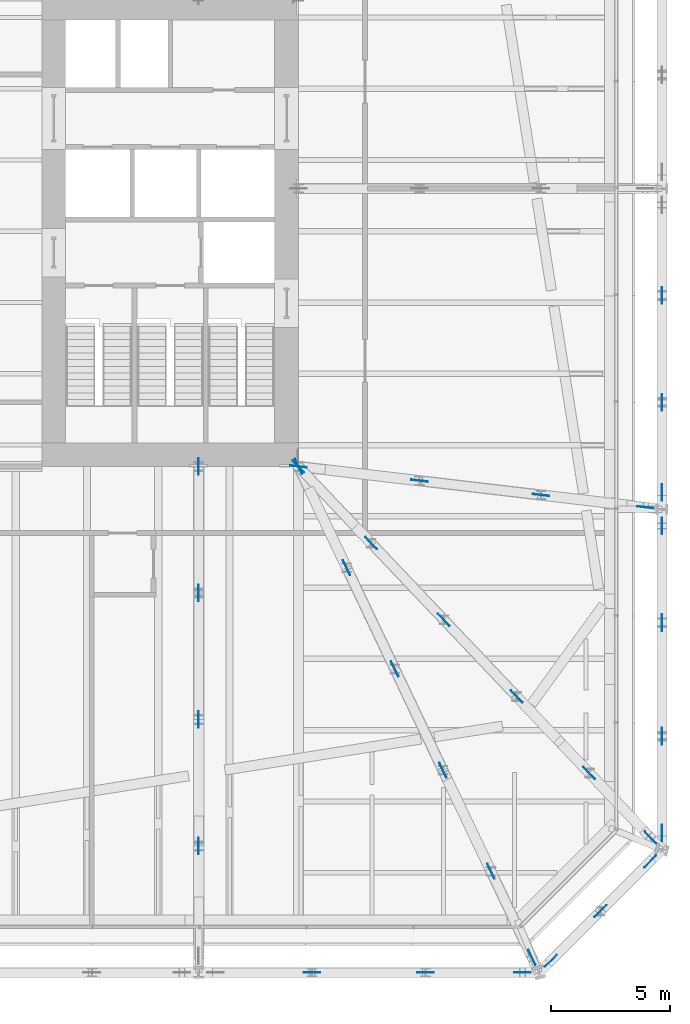
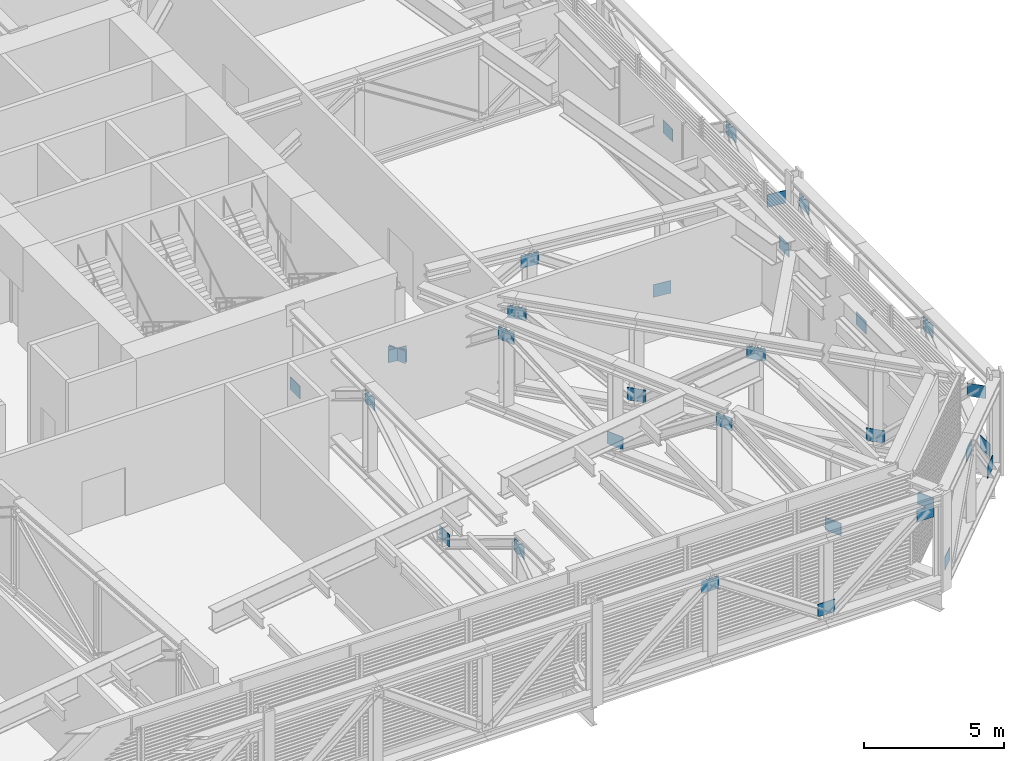
# One storey, part 28 of 31: 33 discrete accessories.
"""IFC4 building model written with IfcOpenShell, lengths in metres."""

from ifc_helpers import new_model, si_unit, direction, frame, origin, origin_2d, place, context, subcontext, project, spatial, rectangle, extrude, material, layer, layer_set, type_object, element, save


model = new_model("IFC4")

# Units and contexts
model_context = context("Model", 3, precision=1e-05, world=origin(), true_north=direction((0.0, 1.0)))
body_context = subcontext(model_context, "Body", "Model", "MODEL_VIEW")
ifc_project = project(units=[si_unit("LENGTHUNIT", "METRE"), si_unit("AREAUNIT", "SQUARE_METRE"), si_unit("VOLUMEUNIT", "CUBIC_METRE"), si_unit("PLANEANGLEUNIT", "RADIAN"), si_unit("MASSUNIT", "GRAM", prefix="KILO")], contexts=[model_context])

# Site, building, storey
site_placement = place(None, origin())
site = spatial("IfcSite", under=ifc_project, at=site_placement, CompositionType="ELEMENT")
building_placement = place(site_placement, origin())
building = spatial("IfcBuilding", under=site, at=building_placement, Name="Millrace Tower", CompositionType="ELEMENT")
storey_placement = place(building_placement, frame((0.0, 0.0, 120.39990234375)))
storey = spatial("IfcBuildingStorey", under=building, at=storey_placement, Name="L26", CompositionType="ELEMENT", Elevation=120.39990234375)

# Discrete accessories
ifc_material = material(Name="Steel ASTM A572 Grade 50", Category="steel")
ifc_layer = layer(ifc_material, 0.02490234375)
ifc_layer_set = layer_set([ifc_layer], Name="Steel ASTM A572 Grade 50")
discrete_accessory_type = type_object("IfcDiscreteAccessoryType", Name="Truss gusset plate 700x550x25", PredefinedType="BRACKET", material=ifc_layer_set)
for number, where, z_axis, x_axis, name in (
    (1, (15.126220703125, -31.199951171875, 3.46728515625), (1.0, 0.0, 0.0), (0.0, 1.0, 0.0), "Truss gusset plate BLT-L26-R04-D01 head"),
    (2, (19.90234375, -31.199951171875, 0.77294921875), (1.0, 0.0, 0.0), (0.0, 1.0, 0.0), "Truss gusset plate BLT-L26-R04-D02 foot"),
    (3, (23.978515625, -31.199951171875, 3.46728515625), (1.0, 0.0, 0.0), (0.0, 1.0, 0.0), "Truss gusset plate BLT-L26-R04-D03 head"),
    (4, (25.27587890625, -30.952392578125, 0.77294921875), (0.707281138664, 0.706932380706, 0.0), (-0.706932380706, 0.707281138664, 0.0), "Truss gusset plate BLT-L26-R05-D01 foot"),
):
    element("IfcDiscreteAccessory", number, at=place(storey_placement, frame(where, z_axis=z_axis, x_axis=x_axis)), inside=storey, type_object=discrete_accessory_type, Name=name, PredefinedType="BRACKET", context=body_context, shape_type="SweptSolid", body=[
        extrude(rectangle(XDim=0.02490234375, YDim=0.550048828125, at=origin_2d()), origin(), (0.0, 0.0, 1.0), 0.699951171875),
    ])
discrete_accessory_1_placement = place(storey_placement, frame((27.36669921875, -28.86181640625, 3.46728515625), z_axis=(0.707106781187, 0.707106781187, 0.0), x_axis=(-0.707106781187, 0.707106781187, 0.0)))
element("IfcDiscreteAccessory", 5, at=discrete_accessory_1_placement, inside=storey, type_object=discrete_accessory_type, Name="Truss gusset plate BLT-L26-R05-D01 head", PredefinedType="BRACKET", context=body_context, shape_type="SweptSolid", body=[
    extrude(rectangle(XDim=0.02490234375, YDim=0.550048828125, at=origin_2d()), origin(), (0.0, 0.0, 1.0), 0.7001953125),
])
for number, where, z_axis, x_axis, name in (
    (6, (29.45751953125, -26.77099609375, 0.77294921875), (0.706932380706, 0.707281138664, 0.0), (-0.707281138664, 0.706932380706, 0.0), "Truss gusset plate BLT-L26-R05-D02 foot"),
    (7, (30.199951171875, -25.678466796875, 0.77294921875), (0.0, 1.0, 0.0), (-1.0, 0.0, 0.0), "Truss gusset plate BLT-L26-R06-D01 foot"),
    (8, (30.199951171875, -21.602294921875, 3.46728515625), (0.0, 1.0, 0.0), (-1.0, 0.0, 0.0), "Truss gusset plate BLT-L26-R06-D01 head"),
    (9, (30.199951171875, -16.826171875, 0.77294921875), (0.0, 1.0, 0.0), (-1.0, 0.0, 0.0), "Truss gusset plate BLT-L26-R06-D02 foot"),
    (10, (30.199951171875, -12.75, 3.46728515625), (0.0, 1.0, 0.0), (-1.0, 0.0, 0.0), "Truss gusset plate BLT-L26-R06-D03 head"),
):
    element("IfcDiscreteAccessory", number, at=place(storey_placement, frame(where, z_axis=z_axis, x_axis=x_axis)), inside=storey, type_object=discrete_accessory_type, Name=name, PredefinedType="BRACKET", context=body_context, shape_type="SweptSolid", body=[
        extrude(rectangle(XDim=0.02490234375, YDim=0.550048828125, at=origin_2d()), origin(), (0.0, 0.0, 1.0), 0.699951171875),
    ])
discrete_accessory_2_placement = place(storey_placement, frame((30.199951171875, -11.35009765625, 0.77294921875), z_axis=(0.0, 1.0, 0.0), x_axis=(-1.0, 0.0, 0.0)))
element("IfcDiscreteAccessory", 11, at=discrete_accessory_2_placement, inside=storey, type_object=discrete_accessory_type, Name="Truss gusset plate BLT-L26-R07-D01 foot", PredefinedType="BRACKET", context=body_context, shape_type="SweptSolid", body=[
    extrude(rectangle(XDim=0.02490234375, YDim=0.550048828125, at=origin_2d()), origin(), (0.0, 0.0, 1.0), 0.7001953125),
])
for number, where, z_axis, x_axis, name in (
    (12, (30.199951171875, -7.550048828125, 3.46728515625), (0.0, 1.0, 0.0), (-1.0, 0.0, 0.0), "Truss gusset plate BLT-L26-R07-D01 head"),
    (13, (30.199951171875, -3.050048828125, 0.77294921875), (0.0, 1.0, 0.0), (-1.0, 0.0, 0.0), "Truss gusset plate BLT-L26-R07-D02 foot"),
    (14, (10.699951171875, -10.25, 0.77294921875), (0.0, 1.0, 0.0), (-1.0, 0.0, 0.0), "Truss gusset plate BLT-L26-O04-D01 foot"),
    (15, (10.699951171875, -15.574951171875, 3.46728515625), (0.0, 1.0, 0.0), (-1.0, 0.0, 0.0), "Truss gusset plate BLT-L26-O04-D01 head"),
    (16, (10.699951171875, -20.89990234375, 0.77294921875), (0.0, 1.0, 0.0), (-1.0, 0.0, 0.0), "Truss gusset plate BLT-L26-O04-D02 foot"),
):
    element("IfcDiscreteAccessory", number, at=place(storey_placement, frame(where, z_axis=z_axis, x_axis=x_axis)), inside=storey, type_object=discrete_accessory_type, Name=name, PredefinedType="BRACKET", context=body_context, shape_type="SweptSolid", body=[
        extrude(rectangle(XDim=0.02490234375, YDim=0.550048828125, at=origin_2d()), origin(), (0.0, 0.0, 1.0), 0.699951171875),
    ])
discrete_accessory_3_placement = place(storey_placement, frame((10.699951171875, -26.22509765625, 3.46728515625), z_axis=(0.0, 1.0, 0.0), x_axis=(-1.0, 0.0, 0.0)))
element("IfcDiscreteAccessory", 17, at=discrete_accessory_3_placement, inside=storey, type_object=discrete_accessory_type, Name="Truss gusset plate BLT-L26-O04-D03 head", PredefinedType="BRACKET", context=body_context, shape_type="SweptSolid", body=[
    extrude(rectangle(XDim=0.02490234375, YDim=0.550048828125, at=origin_2d()), origin(), (0.0, 0.0, 1.0), 0.7001953125),
])
for number, where, z_axis, x_axis, name in (
    (18, (14.749755859375, -9.583984375, 0.77294921875), (0.429405431233, -0.903111828971, 0.0), (0.903111828971, 0.429405431233, 0.0), "Truss gusset plate BLT-L26-O05-D01 foot"),
    (19, (16.775390625, -13.843994140625, 3.46728515625), (0.429405431233, -0.903111828971, 0.0), (0.903111828971, 0.429405431233, 0.0), "Truss gusset plate BLT-L26-O05-D01 head"),
    (20, (18.801025390625, -18.10400390625, 0.77294921875), (0.429689874037, -0.902976529125, 0.0), (0.902976529125, 0.429689874037, 0.0), "Truss gusset plate BLT-L26-O05-D02 foot"),
    (21, (20.826904296875, -22.364013671875, 3.46728515625), (0.429405431233, -0.903111828971, 0.0), (0.903111828971, 0.429405431233, 0.0), "Truss gusset plate BLT-L26-O05-D03 head"),
):
    element("IfcDiscreteAccessory", number, at=place(storey_placement, frame(where, z_axis=z_axis, x_axis=x_axis)), inside=storey, type_object=discrete_accessory_type, Name=name, PredefinedType="BRACKET", context=body_context, shape_type="SweptSolid", body=[
        extrude(rectangle(XDim=0.02490234375, YDim=0.550048828125, at=origin_2d()), origin(), (0.0, 0.0, 1.0), 0.699951171875),
    ])
discrete_accessory_4_placement = place(storey_placement, frame((22.852294921875, -26.623779296875, 0.77294921875), z_axis=(0.429554587458, -0.903040894087, 0.0), x_axis=(0.903040894087, 0.429554587458, 0.0)))
element("IfcDiscreteAccessory", 22, at=discrete_accessory_4_placement, inside=storey, type_object=discrete_accessory_type, Name="Truss gusset plate BLT-L26-O05-D04 foot", PredefinedType="BRACKET", context=body_context, shape_type="SweptSolid", body=[
    extrude(rectangle(XDim=0.02490234375, YDim=0.550048828125, at=origin_2d()), origin(), (0.0, 0.0, 1.0), 0.7001953125),
])
for number, where, z_axis, x_axis, name in (
    (23, (24.577392578125, -30.251708984375, 3.46728515625), (0.429689874037, -0.902976529125, 0.0), (0.902976529125, 0.429689874037, 0.0), "Truss gusset plate BLT-L26-O05-D05 head"),
    (24, (14.6591796875, -9.64599609375, 0.77294921875), (0.688199237108, -0.725521750221, 0.0), (0.725521750221, 0.688199237108, 0.0), "Truss gusset plate BLT-L26-O06-D01 foot"),
):
    element("IfcDiscreteAccessory", number, at=place(storey_placement, frame(where, z_axis=z_axis, x_axis=x_axis)), inside=storey, type_object=discrete_accessory_type, Name=name, PredefinedType="BRACKET", context=body_context, shape_type="SweptSolid", body=[
        extrude(rectangle(XDim=0.02490234375, YDim=0.550048828125, at=origin_2d()), origin(), (0.0, 0.0, 1.0), 0.699951171875),
    ])
for number, where, z_axis, x_axis, name in (
    (25, (17.718994140625, -12.871826171875, 3.46728515625), (0.688382777479, -0.725347607475, 0.0), (0.725347607475, 0.688382777479, 0.0), "Truss gusset plate BLT-L26-O06-D01 head"),
    (26, (20.779052734375, -16.097412109375, 0.77294921875), (0.688382777479, -0.725347607475, 0.0), (0.725347607475, 0.688382777479, 0.0), "Truss gusset plate BLT-L26-O06-D02 foot"),
    (27, (23.839111328125, -19.322998046875, 3.46728515625), (0.688025100032, -0.725686889592, 0.0), (0.725686889592, 0.688025100032, 0.0), "Truss gusset plate BLT-L26-O06-D03 head"),
):
    element("IfcDiscreteAccessory", number, at=place(storey_placement, frame(where, z_axis=z_axis, x_axis=x_axis)), inside=storey, type_object=discrete_accessory_type, Name=name, PredefinedType="BRACKET", context=body_context, shape_type="SweptSolid", body=[
        extrude(rectangle(XDim=0.02490234375, YDim=0.550048828125, at=origin_2d()), origin(), (0.0, 0.0, 1.0), 0.7001953125),
    ])
for number, where, z_axis, x_axis, name in (
    (28, (26.899169921875, -22.548828125, 0.77294921875), (0.688199237108, -0.725521750221, 0.0), (0.725521750221, 0.688199237108, 0.0), "Truss gusset plate BLT-L26-O06-D04 foot"),
    (29, (29.477294921875, -25.2666015625, 3.46728515625), (0.688199237108, -0.725521750221, 0.0), (0.725521750221, 0.688199237108, 0.0), "Truss gusset plate BLT-L26-O06-D05 head"),
    (30, (14.552490234375, -9.859130859375, 0.77294921875), (0.993148222954, -0.116861487422, 0.0), (0.116861487422, 0.993148222954, 0.0), "Truss gusset plate BLT-L26-O07-D01 foot"),
):
    element("IfcDiscreteAccessory", number, at=place(storey_placement, frame(where, z_axis=z_axis, x_axis=x_axis)), inside=storey, type_object=discrete_accessory_type, Name=name, PredefinedType="BRACKET", context=body_context, shape_type="SweptSolid", body=[
        extrude(rectangle(XDim=0.02490234375, YDim=0.550048828125, at=origin_2d()), origin(), (0.0, 0.0, 1.0), 0.699951171875),
    ])
discrete_accessory_5_placement = place(storey_placement, frame((19.65234375, -10.458984375, 3.46728515625), z_axis=(0.99311246772, -0.117164954057, 0.0), x_axis=(0.117164954057, 0.99311246772, 0.0)))
element("IfcDiscreteAccessory", 31, at=discrete_accessory_5_placement, inside=storey, type_object=discrete_accessory_type, Name="Truss gusset plate BLT-L26-O07-D01 head", PredefinedType="BRACKET", context=body_context, shape_type="SweptSolid", body=[
    extrude(rectangle(XDim=0.02490234375, YDim=0.550048828125, at=origin_2d()), origin(), (0.0, 0.0, 1.0), 0.7001953125),
])
for number, where, z_axis, x_axis, name in (
    (32, (24.75244140625, -11.05908203125, 0.77294921875), (0.993148222954, -0.116861487422, 0.0), (0.116861487422, 0.993148222954, 0.0), "Truss gusset plate BLT-L26-O07-D02 foot"),
    (33, (29.1572265625, -11.577392578125, 3.46728515625), (0.993148222954, -0.116861487422, 0.0), (0.116861487422, 0.993148222954, 0.0), "Truss gusset plate BLT-L26-O07-D03 head"),
):
    element("IfcDiscreteAccessory", number, at=place(storey_placement, frame(where, z_axis=z_axis, x_axis=x_axis)), inside=storey, type_object=discrete_accessory_type, Name=name, PredefinedType="BRACKET", context=body_context, shape_type="SweptSolid", body=[
        extrude(rectangle(XDim=0.02490234375, YDim=0.550048828125, at=origin_2d()), origin(), (0.0, 0.0, 1.0), 0.699951171875),
    ])

save(model, "model.ifc")
